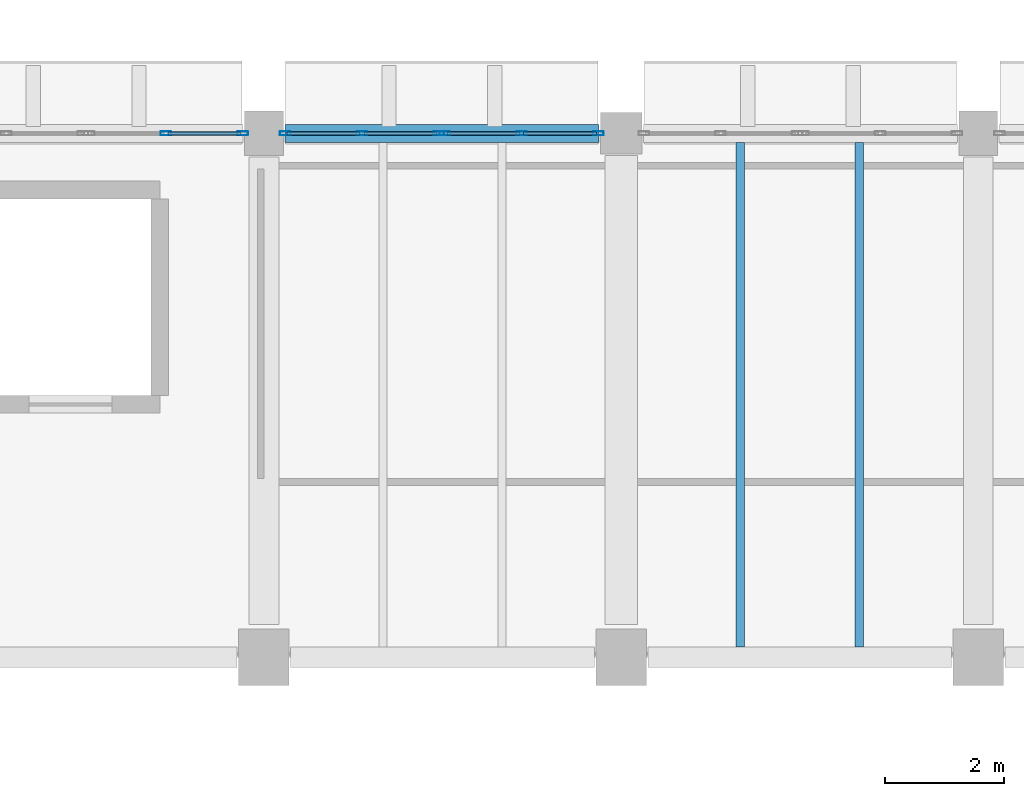
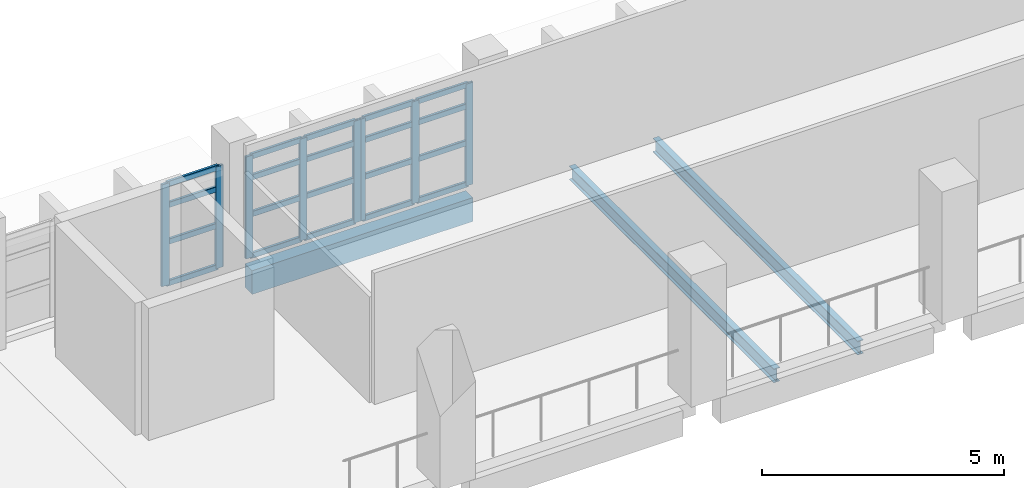
# One storey, part 32 of 75: 28 members, 3 beams, 3 elements without a shape of their own.
"""IFC4 building model written with IfcOpenShell, lengths in metres."""

from ifc_helpers import new_model, si_unit, direction, frame, origin, origin_2d, place, context, subcontext, project, spatial, rectangle, hollow_rectangle, i_section, extrude, material, material_profile, profile_set, type_object, element, aggregate, save


model = new_model("IFC4")

# Units and contexts
model_context = context("Model", 3, precision=1e-05, world=origin(), true_north=direction((0.0, 1.0)))
body_context = subcontext(model_context, "Body", "Model", "MODEL_VIEW")
ifc_project = project(units=[si_unit("LENGTHUNIT", "METRE"), si_unit("AREAUNIT", "SQUARE_METRE"), si_unit("VOLUMEUNIT", "CUBIC_METRE"), si_unit("PLANEANGLEUNIT", "RADIAN"), si_unit("MASSUNIT", "GRAM", prefix="KILO")], contexts=[model_context])

# Site, building, storey
site_placement = place(None, origin())
site = spatial("IfcSite", under=ifc_project, at=site_placement, CompositionType="ELEMENT")
building_placement = place(site_placement, origin())
building = spatial("IfcBuilding", under=site, at=building_placement, Name="Varnakota Cinema and Media Centre", CompositionType="ELEMENT")
storey_placement = place(building_placement, frame((0.0, 0.0, 8.39990234375)))
storey = spatial("IfcBuildingStorey", under=building, at=storey_placement, Name="L02", CompositionType="ELEMENT", Elevation=8.39990234375)

# Beams
ifc_material_1 = material(Name="Concrete M35", Category="concrete")
ifc_material_profile_1 = material_profile(ifc_material_1, rectangle(XDim=0.300048828125, YDim=0.60009765625, at=origin_2d()), Name="RCB 300x600")
ifc_profile_set_1 = profile_set([ifc_material_profile_1], Name="Concrete M35")
beam_type_1 = type_object("IfcBeamType", Name="BM-SP-300x600", PredefinedType="SPANDREL", material=ifc_profile_set_1)
beam_placement = place(storey_placement, frame((81.35009765625, 44.0, -0.5498046875), z_axis=(1.0, 0.0, 0.0), x_axis=(0.0, 1.0, 0.0)))
element("IfcBeam", 1, at=beam_placement, inside=storey, type_object=beam_type_1, Name="L02 girder L-M/6", PredefinedType="SPANDREL", context=body_context, shape_type="SweptSolid", body=[
    extrude(rectangle(XDim=0.300048828125, YDim=0.60009765625, at=origin_2d()), origin(), (0.0, 0.0, 1.0), 5.27490234375),
])
ifc_material_2 = material(Name="Structural steel Grade 350 (E350)", Category="steel")
ifc_material_profile_2 = material_profile(ifc_material_2, i_section(OverallWidth=0.139892578125, OverallDepth=0.35009765625, WebThickness=0.008056640625, FlangeThickness=0.01416015625, FilletRadius=0.013916015625, at=origin_2d()), Name="ISMB 350")
ifc_profile_set_2 = profile_set([ifc_material_profile_2], Name="Structural steel Grade 350 (E350)")
beam_type_2 = type_object("IfcBeamType", Name="BM-ST-ISMB350", PredefinedType="JOIST", material=ifc_profile_set_2)
for number, where, z_axis, x_axis, name in (
    (2, (89.0, 35.375, -0.4248046875), (0.0, 1.0, 0.0), (-1.0, 0.0, 0.0), "L02 steel joist M-N/5-6 #1"),
    (3, (91.0, 35.375, -0.4248046875), (0.0, 1.0, 0.0), (-1.0, 0.0, 0.0), "L02 steel joist M-N/5-6 #2"),
):
    element("IfcBeam", number, at=place(storey_placement, frame(where, z_axis=z_axis, x_axis=x_axis)), inside=storey, type_object=beam_type_2, Name=name, PredefinedType="JOIST", context=body_context, shape_type="SweptSolid", body=[
        extrude(i_section(OverallWidth=0.139892578125, OverallDepth=0.35009765625, WebThickness=0.008056640625, FlangeThickness=0.01416015625, FilletRadius=0.013916015625, at=origin_2d()), origin(), (0.0, 0.0, 1.0), 8.47509765625),
    ])

# Curtain wall, members
ifc_material_3 = material(Name="Thermally broken anodised aluminium AW-6063", Category="aluminium")
curtain_wall_type = type_object("IfcCurtainWallType", Name="CW-STD-264x258", PredefinedType="USERDEFINED", material=ifc_material_3)
curtain_wall_1_placement = place(storey_placement, origin())
curtain_wall_1 = element("IfcCurtainWall", 4, at=curtain_wall_1_placement, inside=storey, type_object=curtain_wall_type, Name="L02 curtain wall CW-L02-V1-N-01-2", ObjectType="UNITISED CURTAIN WALL", PredefinedType="USERDEFINED")
ifc_material_4 = material(Name="Thermally broken anodised aluminium AW-6063", Category="aluminium")
ifc_material_profile_3 = material_profile(ifc_material_4, hollow_rectangle(XDim=0.06494140625, YDim=0.179931640625, WallThickness=0.00390625, InnerFilletRadius=0.00390625, OuterFilletRadius=0.008056640625, at=origin_2d()), Name="AL-MULLION 180x65x4")
ifc_profile_set_3 = profile_set([ifc_material_profile_3], Name="Thermally broken anodised aluminium AW-6063")
member_type_1 = type_object("IfcMemberType", Name="CWM-AL-180", PredefinedType="MULLION", material=ifc_profile_set_3)
member_1_placement = place(storey_placement, frame((79.353759765625, 44.0, 0.0), z_axis=(0.0, 0.0, 1.0), x_axis=(0.0, 1.0, 0.0)))
member_1 = element("IfcMember", 5, at=member_1_placement, type_object=member_type_1, Name="CW29 mullion 2", PredefinedType="MULLION", context=body_context, shape_type="SweptSolid", body=[
    extrude(hollow_rectangle(XDim=0.06494140625, YDim=0.179931640625, WallThickness=0.00390625, InnerFilletRadius=0.00390625, OuterFilletRadius=0.008056640625, at=origin_2d()), origin(), (0.0, 0.0, 1.0), 2.5751953125),
])
member_2_placement = place(storey_placement, frame((80.642578125, 44.0, 0.0), z_axis=(0.0, 0.0, 1.0), x_axis=(0.0, 1.0, 0.0)))
member_2 = element("IfcMember", 6, at=member_2_placement, type_object=member_type_1, Name="CW29 mullion 3", PredefinedType="MULLION", context=body_context, shape_type="SweptSolid", body=[
    extrude(hollow_rectangle(XDim=0.06494140625, YDim=0.179931640625, WallThickness=0.00390625, InnerFilletRadius=0.00390625, OuterFilletRadius=0.008056640625, at=origin_2d()), origin(), (0.0, 0.0, 1.0), 2.5751953125),
])

curtain_wall_2_placement = place(storey_placement, origin())
curtain_wall_2 = element("IfcCurtainWall", 7, at=curtain_wall_2_placement, inside=storey, type_object=curtain_wall_type, Name="L02 curtain wall CW-L02-V1-N-02-1", ObjectType="UNITISED CURTAIN WALL", PredefinedType="USERDEFINED")
member_3_placement = place(storey_placement, frame((81.357421875, 44.0, 0.0), z_axis=(0.0, 0.0, 1.0), x_axis=(0.0, 1.0, 0.0)))
member_3 = element("IfcMember", 8, at=member_3_placement, type_object=member_type_1, Name="CW29 mullion 1", PredefinedType="MULLION", context=body_context, shape_type="SweptSolid", body=[
    extrude(hollow_rectangle(XDim=0.06494140625, YDim=0.179931640625, WallThickness=0.00390625, InnerFilletRadius=0.00390625, OuterFilletRadius=0.008056640625, at=origin_2d()), origin(), (0.0, 0.0, 1.0), 2.5751953125),
])
member_4_placement = place(storey_placement, frame((82.646240234375, 44.0, 0.0), z_axis=(0.0, 0.0, 1.0), x_axis=(0.0, 1.0, 0.0)))
member_4 = element("IfcMember", 9, at=member_4_placement, type_object=member_type_1, Name="CW29 mullion 2", PredefinedType="MULLION", context=body_context, shape_type="SweptSolid", body=[
    extrude(hollow_rectangle(XDim=0.06494140625, YDim=0.179931640625, WallThickness=0.00390625, InnerFilletRadius=0.00390625, OuterFilletRadius=0.008056640625, at=origin_2d()), origin(), (0.0, 0.0, 1.0), 2.5751953125),
])
member_5_placement = place(storey_placement, frame((83.93505859375, 44.0, 0.0), z_axis=(0.0, 0.0, 1.0), x_axis=(0.0, 1.0, 0.0)))
member_5 = element("IfcMember", 10, at=member_5_placement, type_object=member_type_1, Name="CW29 mullion 3", PredefinedType="MULLION", context=body_context, shape_type="SweptSolid", body=[
    extrude(hollow_rectangle(XDim=0.06494140625, YDim=0.179931640625, WallThickness=0.00390625, InnerFilletRadius=0.00390625, OuterFilletRadius=0.008056640625, at=origin_2d()), origin(), (0.0, 0.0, 1.0), 2.5751953125),
])

curtain_wall_3_placement = place(storey_placement, origin())
curtain_wall_3 = element("IfcCurtainWall", 11, at=curtain_wall_3_placement, inside=storey, type_object=curtain_wall_type, Name="L02 curtain wall CW-L02-V1-N-02-2", ObjectType="UNITISED CURTAIN WALL", PredefinedType="USERDEFINED")
member_6_placement = place(storey_placement, frame((84.0400390625, 44.0, 0.0), z_axis=(0.0, 0.0, 1.0), x_axis=(0.0, 1.0, 0.0)))
member_6 = element("IfcMember", 12, at=member_6_placement, type_object=member_type_1, Name="CW29 mullion 1", PredefinedType="MULLION", context=body_context, shape_type="SweptSolid", body=[
    extrude(hollow_rectangle(XDim=0.06494140625, YDim=0.179931640625, WallThickness=0.00390625, InnerFilletRadius=0.00390625, OuterFilletRadius=0.008056640625, at=origin_2d()), origin(), (0.0, 0.0, 1.0), 2.5751953125),
])
member_7_placement = place(storey_placement, frame((85.328857421875, 44.0, 0.0), z_axis=(0.0, 0.0, 1.0), x_axis=(0.0, 1.0, 0.0)))
member_7 = element("IfcMember", 13, at=member_7_placement, type_object=member_type_1, Name="CW29 mullion 2", PredefinedType="MULLION", context=body_context, shape_type="SweptSolid", body=[
    extrude(hollow_rectangle(XDim=0.06494140625, YDim=0.179931640625, WallThickness=0.00390625, InnerFilletRadius=0.00390625, OuterFilletRadius=0.008056640625, at=origin_2d()), origin(), (0.0, 0.0, 1.0), 2.5751953125),
])
member_8_placement = place(storey_placement, frame((86.617431640625, 44.0, 0.0), z_axis=(0.0, 0.0, 1.0), x_axis=(0.0, 1.0, 0.0)))
member_8 = element("IfcMember", 14, at=member_8_placement, type_object=member_type_1, Name="CW29 mullion 3", PredefinedType="MULLION", context=body_context, shape_type="SweptSolid", body=[
    extrude(hollow_rectangle(XDim=0.06494140625, YDim=0.179931640625, WallThickness=0.00390625, InnerFilletRadius=0.00390625, OuterFilletRadius=0.008056640625, at=origin_2d()), origin(), (0.0, 0.0, 1.0), 2.5751953125),
])

# Member
ifc_material_5 = material(Name="Thermally broken anodised aluminium AW-6063", Category="aluminium")
ifc_material_profile_4 = material_profile(ifc_material_5, hollow_rectangle(XDim=0.06494140625, YDim=0.139892578125, WallThickness=0.00390625, InnerFilletRadius=0.00390625, OuterFilletRadius=0.008056640625, at=origin_2d()), Name="AL-TRANSOM 140x65x4")
ifc_profile_set_4 = profile_set([ifc_material_profile_4], Name="Thermally broken anodised aluminium AW-6063")
member_type_2 = type_object("IfcMemberType", Name="CWT-AL-140", PredefinedType="USERDEFINED", material=ifc_profile_set_4)
member_9_placement = place(storey_placement, frame((79.38623046875, 44.0, 0.03271484375), z_axis=(1.0, 0.0, 0.0), x_axis=(0.0, 1.0, 0.0)))
member_9 = element("IfcMember", 15, at=member_9_placement, type_object=member_type_2, Name="CW29 transom 2.1", ObjectType="TRANSOM", PredefinedType="USERDEFINED", context=body_context, shape_type="SweptSolid", body=[
    extrude(hollow_rectangle(XDim=0.06494140625, YDim=0.139892578125, WallThickness=0.00390625, InnerFilletRadius=0.00390625, OuterFilletRadius=0.008056640625, at=origin_2d()), origin(), (0.0, 0.0, 1.0), 1.223876953125),
])

member_10_placement = place(storey_placement, frame((79.38623046875, 44.0, 1.08154296875), z_axis=(1.0, 0.0, 0.0), x_axis=(0.0, 1.0, 0.0)))
member_10 = element("IfcMember", 16, at=member_10_placement, type_object=member_type_2, Name="CW29 transom 2.2", ObjectType="TRANSOM", PredefinedType="USERDEFINED", context=body_context, shape_type="SweptSolid", body=[
    extrude(hollow_rectangle(XDim=0.06494140625, YDim=0.139892578125, WallThickness=0.00390625, InnerFilletRadius=0.00390625, OuterFilletRadius=0.008056640625, at=origin_2d()), origin(), (0.0, 0.0, 1.0), 1.223876953125),
])

member_11_placement = place(storey_placement, frame((79.38623046875, 44.0, 2.008544921875), z_axis=(1.0, 0.0, 0.0), x_axis=(0.0, 1.0, 0.0)))
member_11 = element("IfcMember", 17, at=member_11_placement, type_object=member_type_2, Name="CW29 transom 2.3", ObjectType="TRANSOM", PredefinedType="USERDEFINED", context=body_context, shape_type="SweptSolid", body=[
    extrude(hollow_rectangle(XDim=0.06494140625, YDim=0.139892578125, WallThickness=0.00390625, InnerFilletRadius=0.00390625, OuterFilletRadius=0.008056640625, at=origin_2d()), origin(), (0.0, 0.0, 1.0), 1.223876953125),
])

member_12_placement = place(storey_placement, frame((79.38623046875, 44.0, 2.54248046875), z_axis=(1.0, 0.0, 0.0), x_axis=(0.0, 1.0, 0.0)))
member_12 = element("IfcMember", 18, at=member_12_placement, type_object=member_type_2, Name="CW29 transom 2.4", ObjectType="TRANSOM", PredefinedType="USERDEFINED", context=body_context, shape_type="SweptSolid", body=[
    extrude(hollow_rectangle(XDim=0.06494140625, YDim=0.139892578125, WallThickness=0.00390625, InnerFilletRadius=0.00390625, OuterFilletRadius=0.008056640625, at=origin_2d()), origin(), (0.0, 0.0, 1.0), 1.223876953125),
])

aggregate(curtain_wall_1, [member_1, member_2, member_9, member_10, member_11, member_12])

member_13_placement = place(storey_placement, frame((81.389892578125, 44.0, 0.03271484375), z_axis=(1.0, 0.0, 0.0), x_axis=(0.0, 1.0, 0.0)))
member_13 = element("IfcMember", 19, at=member_13_placement, type_object=member_type_2, Name="CW29 transom 1.1", ObjectType="TRANSOM", PredefinedType="USERDEFINED", context=body_context, shape_type="SweptSolid", body=[
    extrude(hollow_rectangle(XDim=0.06494140625, YDim=0.139892578125, WallThickness=0.00390625, InnerFilletRadius=0.00390625, OuterFilletRadius=0.008056640625, at=origin_2d()), origin(), (0.0, 0.0, 1.0), 1.223876953125),
])

member_14_placement = place(storey_placement, frame((81.389892578125, 44.0, 1.08154296875), z_axis=(1.0, 0.0, 0.0), x_axis=(0.0, 1.0, 0.0)))
member_14 = element("IfcMember", 20, at=member_14_placement, type_object=member_type_2, Name="CW29 transom 1.2", ObjectType="TRANSOM", PredefinedType="USERDEFINED", context=body_context, shape_type="SweptSolid", body=[
    extrude(hollow_rectangle(XDim=0.06494140625, YDim=0.139892578125, WallThickness=0.00390625, InnerFilletRadius=0.00390625, OuterFilletRadius=0.008056640625, at=origin_2d()), origin(), (0.0, 0.0, 1.0), 1.223876953125),
])

member_15_placement = place(storey_placement, frame((81.389892578125, 44.0, 2.008544921875), z_axis=(1.0, 0.0, 0.0), x_axis=(0.0, 1.0, 0.0)))
member_15 = element("IfcMember", 21, at=member_15_placement, type_object=member_type_2, Name="CW29 transom 1.3", ObjectType="TRANSOM", PredefinedType="USERDEFINED", context=body_context, shape_type="SweptSolid", body=[
    extrude(hollow_rectangle(XDim=0.06494140625, YDim=0.139892578125, WallThickness=0.00390625, InnerFilletRadius=0.00390625, OuterFilletRadius=0.008056640625, at=origin_2d()), origin(), (0.0, 0.0, 1.0), 1.223876953125),
])

member_16_placement = place(storey_placement, frame((81.389892578125, 44.0, 2.54248046875), z_axis=(1.0, 0.0, 0.0), x_axis=(0.0, 1.0, 0.0)))
member_16 = element("IfcMember", 22, at=member_16_placement, type_object=member_type_2, Name="CW29 transom 1.4", ObjectType="TRANSOM", PredefinedType="USERDEFINED", context=body_context, shape_type="SweptSolid", body=[
    extrude(hollow_rectangle(XDim=0.06494140625, YDim=0.139892578125, WallThickness=0.00390625, InnerFilletRadius=0.00390625, OuterFilletRadius=0.008056640625, at=origin_2d()), origin(), (0.0, 0.0, 1.0), 1.223876953125),
])

member_17_placement = place(storey_placement, frame((82.6787109375, 44.0, 0.03271484375), z_axis=(1.0, 0.0, 0.0), x_axis=(0.0, 1.0, 0.0)))
member_17 = element("IfcMember", 23, at=member_17_placement, type_object=member_type_2, Name="CW29 transom 2.1", ObjectType="TRANSOM", PredefinedType="USERDEFINED", context=body_context, shape_type="SweptSolid", body=[
    extrude(hollow_rectangle(XDim=0.06494140625, YDim=0.139892578125, WallThickness=0.00390625, InnerFilletRadius=0.00390625, OuterFilletRadius=0.008056640625, at=origin_2d()), origin(), (0.0, 0.0, 1.0), 1.223876953125),
])

member_18_placement = place(storey_placement, frame((82.6787109375, 44.0, 1.08154296875), z_axis=(1.0, 0.0, 0.0), x_axis=(0.0, 1.0, 0.0)))
member_18 = element("IfcMember", 24, at=member_18_placement, type_object=member_type_2, Name="CW29 transom 2.2", ObjectType="TRANSOM", PredefinedType="USERDEFINED", context=body_context, shape_type="SweptSolid", body=[
    extrude(hollow_rectangle(XDim=0.06494140625, YDim=0.139892578125, WallThickness=0.00390625, InnerFilletRadius=0.00390625, OuterFilletRadius=0.008056640625, at=origin_2d()), origin(), (0.0, 0.0, 1.0), 1.223876953125),
])

member_19_placement = place(storey_placement, frame((82.6787109375, 44.0, 2.008544921875), z_axis=(1.0, 0.0, 0.0), x_axis=(0.0, 1.0, 0.0)))
member_19 = element("IfcMember", 25, at=member_19_placement, type_object=member_type_2, Name="CW29 transom 2.3", ObjectType="TRANSOM", PredefinedType="USERDEFINED", context=body_context, shape_type="SweptSolid", body=[
    extrude(hollow_rectangle(XDim=0.06494140625, YDim=0.139892578125, WallThickness=0.00390625, InnerFilletRadius=0.00390625, OuterFilletRadius=0.008056640625, at=origin_2d()), origin(), (0.0, 0.0, 1.0), 1.223876953125),
])

member_20_placement = place(storey_placement, frame((82.6787109375, 44.0, 2.54248046875), z_axis=(1.0, 0.0, 0.0), x_axis=(0.0, 1.0, 0.0)))
member_20 = element("IfcMember", 26, at=member_20_placement, type_object=member_type_2, Name="CW29 transom 2.4", ObjectType="TRANSOM", PredefinedType="USERDEFINED", context=body_context, shape_type="SweptSolid", body=[
    extrude(hollow_rectangle(XDim=0.06494140625, YDim=0.139892578125, WallThickness=0.00390625, InnerFilletRadius=0.00390625, OuterFilletRadius=0.008056640625, at=origin_2d()), origin(), (0.0, 0.0, 1.0), 1.223876953125),
])

aggregate(curtain_wall_2, [member_3, member_4, member_5, member_13, member_14, member_15, member_16, member_17, member_18, member_19, member_20])

member_21_placement = place(storey_placement, frame((84.072509765625, 44.0, 0.03271484375), z_axis=(1.0, 0.0, 0.0), x_axis=(0.0, 1.0, 0.0)))
member_21 = element("IfcMember", 27, at=member_21_placement, type_object=member_type_2, Name="CW29 transom 1.1", ObjectType="TRANSOM", PredefinedType="USERDEFINED", context=body_context, shape_type="SweptSolid", body=[
    extrude(hollow_rectangle(XDim=0.06494140625, YDim=0.139892578125, WallThickness=0.00390625, InnerFilletRadius=0.00390625, OuterFilletRadius=0.008056640625, at=origin_2d()), origin(), (0.0, 0.0, 1.0), 1.2236328125),
])

member_22_placement = place(storey_placement, frame((84.072509765625, 44.0, 1.08154296875), z_axis=(1.0, 0.0, 0.0), x_axis=(0.0, 1.0, 0.0)))
member_22 = element("IfcMember", 28, at=member_22_placement, type_object=member_type_2, Name="CW29 transom 1.2", ObjectType="TRANSOM", PredefinedType="USERDEFINED", context=body_context, shape_type="SweptSolid", body=[
    extrude(hollow_rectangle(XDim=0.06494140625, YDim=0.139892578125, WallThickness=0.00390625, InnerFilletRadius=0.00390625, OuterFilletRadius=0.008056640625, at=origin_2d()), origin(), (0.0, 0.0, 1.0), 1.2236328125),
])

member_23_placement = place(storey_placement, frame((84.072509765625, 44.0, 2.008544921875), z_axis=(1.0, 0.0, 0.0), x_axis=(0.0, 1.0, 0.0)))
member_23 = element("IfcMember", 29, at=member_23_placement, type_object=member_type_2, Name="CW29 transom 1.3", ObjectType="TRANSOM", PredefinedType="USERDEFINED", context=body_context, shape_type="SweptSolid", body=[
    extrude(hollow_rectangle(XDim=0.06494140625, YDim=0.139892578125, WallThickness=0.00390625, InnerFilletRadius=0.00390625, OuterFilletRadius=0.008056640625, at=origin_2d()), origin(), (0.0, 0.0, 1.0), 1.2236328125),
])

member_24_placement = place(storey_placement, frame((84.072509765625, 44.0, 2.54248046875), z_axis=(1.0, 0.0, 0.0), x_axis=(0.0, 1.0, 0.0)))
member_24 = element("IfcMember", 30, at=member_24_placement, type_object=member_type_2, Name="CW29 transom 1.4", ObjectType="TRANSOM", PredefinedType="USERDEFINED", context=body_context, shape_type="SweptSolid", body=[
    extrude(hollow_rectangle(XDim=0.06494140625, YDim=0.139892578125, WallThickness=0.00390625, InnerFilletRadius=0.00390625, OuterFilletRadius=0.008056640625, at=origin_2d()), origin(), (0.0, 0.0, 1.0), 1.2236328125),
])

member_25_placement = place(storey_placement, frame((85.361328125, 44.0, 0.03271484375), z_axis=(1.0, 0.0, 0.0), x_axis=(0.0, 1.0, 0.0)))
member_25 = element("IfcMember", 31, at=member_25_placement, type_object=member_type_2, Name="CW29 transom 2.1", ObjectType="TRANSOM", PredefinedType="USERDEFINED", context=body_context, shape_type="SweptSolid", body=[
    extrude(hollow_rectangle(XDim=0.06494140625, YDim=0.139892578125, WallThickness=0.00390625, InnerFilletRadius=0.00390625, OuterFilletRadius=0.008056640625, at=origin_2d()), origin(), (0.0, 0.0, 1.0), 1.2236328125),
])

member_26_placement = place(storey_placement, frame((85.361328125, 44.0, 1.08154296875), z_axis=(1.0, 0.0, 0.0), x_axis=(0.0, 1.0, 0.0)))
member_26 = element("IfcMember", 32, at=member_26_placement, type_object=member_type_2, Name="CW29 transom 2.2", ObjectType="TRANSOM", PredefinedType="USERDEFINED", context=body_context, shape_type="SweptSolid", body=[
    extrude(hollow_rectangle(XDim=0.06494140625, YDim=0.139892578125, WallThickness=0.00390625, InnerFilletRadius=0.00390625, OuterFilletRadius=0.008056640625, at=origin_2d()), origin(), (0.0, 0.0, 1.0), 1.2236328125),
])

member_27_placement = place(storey_placement, frame((85.361328125, 44.0, 2.008544921875), z_axis=(1.0, 0.0, 0.0), x_axis=(0.0, 1.0, 0.0)))
member_27 = element("IfcMember", 33, at=member_27_placement, type_object=member_type_2, Name="CW29 transom 2.3", ObjectType="TRANSOM", PredefinedType="USERDEFINED", context=body_context, shape_type="SweptSolid", body=[
    extrude(hollow_rectangle(XDim=0.06494140625, YDim=0.139892578125, WallThickness=0.00390625, InnerFilletRadius=0.00390625, OuterFilletRadius=0.008056640625, at=origin_2d()), origin(), (0.0, 0.0, 1.0), 1.2236328125),
])

member_28_placement = place(storey_placement, frame((85.361328125, 44.0, 2.54248046875), z_axis=(1.0, 0.0, 0.0), x_axis=(0.0, 1.0, 0.0)))
member_28 = element("IfcMember", 34, at=member_28_placement, type_object=member_type_2, Name="CW29 transom 2.4", ObjectType="TRANSOM", PredefinedType="USERDEFINED", context=body_context, shape_type="SweptSolid", body=[
    extrude(hollow_rectangle(XDim=0.06494140625, YDim=0.139892578125, WallThickness=0.00390625, InnerFilletRadius=0.00390625, OuterFilletRadius=0.008056640625, at=origin_2d()), origin(), (0.0, 0.0, 1.0), 1.2236328125),
])

aggregate(curtain_wall_3, [member_6, member_7, member_8, member_21, member_22, member_23, member_24, member_25, member_26, member_27, member_28])

save(model, "model.ifc")
